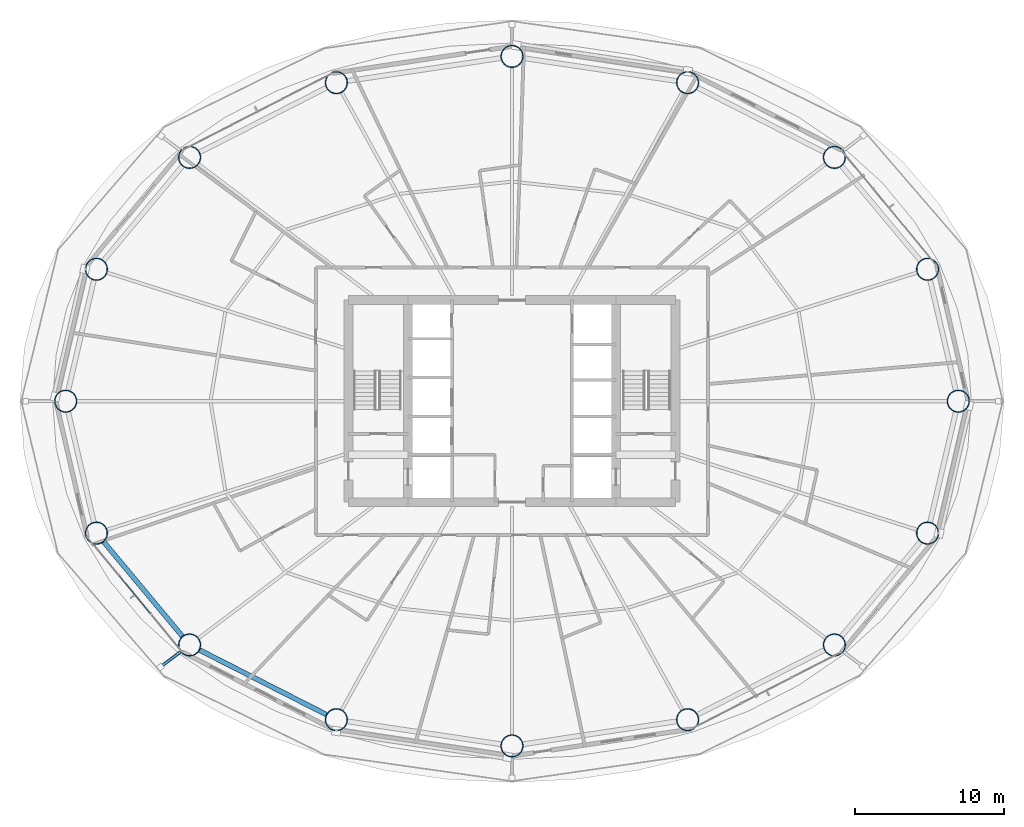
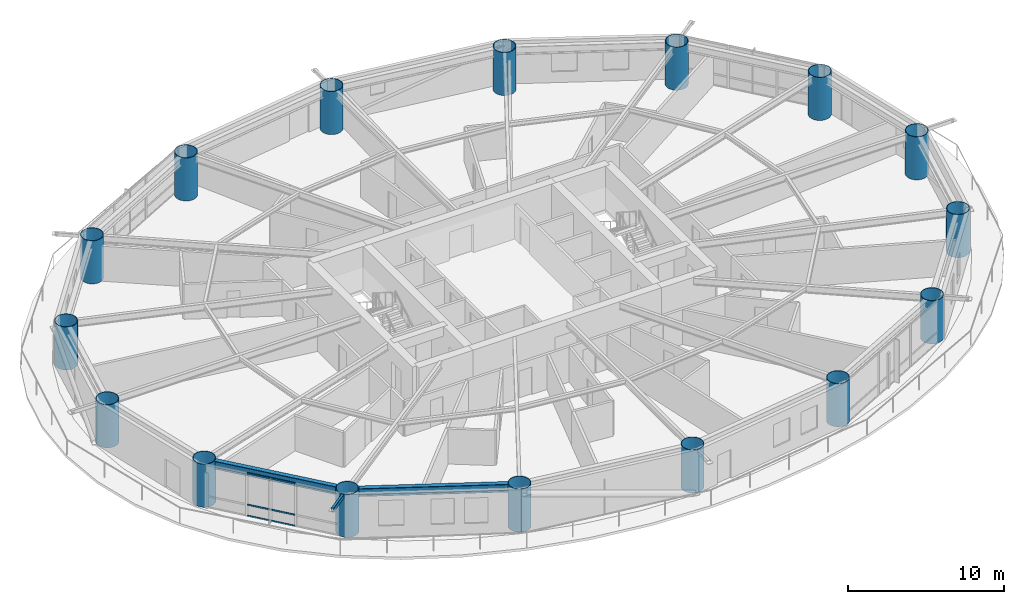
# One storey, part 1 of 26: 16 columns, 4 members, 2 beams, 1 element without a shape of its own.
"""IFC4 building model written with IfcOpenShell, lengths in metres."""

from ifc_helpers import new_model, si_unit, direction, frame, origin, origin_2d, place, context, subcontext, project, spatial, hollow_rectangle, hollow_circle, i_section, extrude, material, layer, layer_set, material_profile, profile_set, type_object, element, aggregate, save


model = new_model("IFC4")

# Units and contexts
model_context = context("Model", 3, precision=1e-05, world=origin(), true_north=direction((0.0, 1.0)))
body_context = subcontext(model_context, "Body", "Model", "MODEL_VIEW")
ifc_project = project(units=[si_unit("LENGTHUNIT", "METRE"), si_unit("AREAUNIT", "SQUARE_METRE"), si_unit("VOLUMEUNIT", "CUBIC_METRE"), si_unit("PLANEANGLEUNIT", "RADIAN"), si_unit("MASSUNIT", "GRAM", prefix="KILO")], contexts=[model_context])

# Site, building, storey
site_placement = place(None, origin())
site = spatial("IfcSite", under=ifc_project, at=site_placement, CompositionType="ELEMENT")
building_placement = place(site_placement, origin())
building = spatial("IfcBuilding", under=site, at=building_placement, Name="Sarneth Arch Tower", CompositionType="ELEMENT")
storey_placement = place(building_placement, frame((0.0, 0.0, 35.39990234375)))
storey = spatial("IfcBuildingStorey", under=building, at=storey_placement, Name="L07", CompositionType="ELEMENT", Elevation=35.39990234375)

# Columns
ifc_material_1 = material(Name="Steel S355", Category="steel")
ifc_material_profile_1 = material_profile(ifc_material_1, hollow_circle(Radius=0.75, WallThickness=0.0400390625, at=origin_2d()), Name="CHS1500x40")
ifc_profile_set_1 = profile_set([ifc_material_profile_1], Name="Steel S355")
column_type = type_object("IfcColumnType", Name="COL-MEGA-1500", PredefinedType="COLUMN", material=ifc_profile_set_1)
for number, where, z_axis, x_axis, name in (
    (1, (78.034912109375, 42.0, 0.0), (0.0, 0.0, 1.0), (1.0, 0.0, 0.0), "L07 Perimeter mega-column M01"),
    (2, (75.965576171875, 50.878173828125, 0.0), (0.0, 0.0, 1.0), (1.0, 0.0, 0.0), "L07 Perimeter mega-column M02"),
    (3, (69.696533203125, 58.40478515625, 0.0), (0.0, 0.0, 1.0), (1.0, 0.0, 0.0), "L07 Perimeter mega-column M03"),
    (4, (59.81787109375, 63.43408203125, 0.0), (0.0, 0.0, 1.0), (1.0, 0.0, 0.0), "L07 Perimeter mega-column M04"),
    (5, (48.0, 65.199951171875, 0.0), (0.0, 0.0, 1.0), (1.0, 0.0, 0.0), "L07 Perimeter mega-column M05"),
    (6, (36.18212890625, 63.43408203125, 0.0), (0.0, 0.0, 1.0), (1.0, 0.0, 0.0), "L07 Perimeter mega-column M06"),
    (7, (26.303466796875, 58.40478515625, 0.0), (0.0, 0.0, 1.0), (1.0, 0.0, 0.0), "L07 Perimeter mega-column M07"),
    (8, (20.034423828125, 50.878173828125, 0.0), (0.0, 0.0, 1.0), (1.0, 0.0, 0.0), "L07 Perimeter mega-column M08"),
    (9, (17.965087890625, 42.0, 0.0), (0.0, 0.0, 1.0), (1.0, 0.0, 0.0), "L07 Perimeter mega-column M09"),
    (10, (20.034423828125, 33.121826171875, 0.0), (0.0, 0.0, 1.0), (1.0, 0.0, 0.0), "L07 Perimeter mega-column M10"),
    (11, (26.303466796875, 25.59521484375, 0.0), (0.0, 0.0, 1.0), (1.0, 0.0, 0.0), "L07 Perimeter mega-column M11"),
    (12, (36.18212890625, 20.56591796875, 0.0), (0.0, 0.0, 1.0), (1.0, 0.0, 0.0), "L07 Perimeter mega-column M12"),
    (13, (48.0, 18.800048828125, 0.0), (0.0, 0.0, 1.0), (1.0, 0.0, 0.0), "L07 Perimeter mega-column M13"),
    (14, (59.81787109375, 20.56591796875, 0.0), (0.0, 0.0, 1.0), (1.0, 0.0, 0.0), "L07 Perimeter mega-column M14"),
    (15, (69.696533203125, 25.59521484375, 0.0), (0.0, 0.0, 1.0), (1.0, 0.0, 0.0), "L07 Perimeter mega-column M15"),
    (16, (75.965576171875, 33.121826171875, 0.0), (0.0, 0.0, 1.0), (1.0, 0.0, 0.0), "L07 Perimeter mega-column M16"),
):
    element("IfcColumn", number, at=place(storey_placement, frame(where, z_axis=z_axis, x_axis=x_axis)), inside=storey, type_object=column_type, Name=name, PredefinedType="COLUMN", context=body_context, shape_type="SweptSolid", body=[
        extrude(hollow_circle(Radius=0.75, WallThickness=0.0400390625, at=origin_2d()), origin(), (0.0, 0.0, 1.0), 3.380126953125),
    ])

# Beams
ifc_material_2 = material(Name="Steel S355", Category="steel")
ifc_material_profile_2 = material_profile(ifc_material_2, i_section(OverallWidth=0.326904296875, OverallDepth=0.6220703125, WebThickness=0.015380859375, FlangeThickness=0.0244140625, FilletRadius=0.01904296875, at=origin_2d()), Name="W610x195")
ifc_profile_set_2 = profile_set([ifc_material_profile_2], Name="Steel S355")
beam_type = type_object("IfcBeamType", Name="BM-SPAN-610A", PredefinedType="SPANDREL", material=ifc_profile_set_2)
beam_1_placement = place(storey_placement, frame((20.514404296875, 32.54541015625, 3.069091796875), z_axis=(0.639981736251, -0.768390120489, 0.0), x_axis=(0.768390120489, 0.639981736251, 0.0)))
element("IfcBeam", 17, at=beam_1_placement, inside=storey, type_object=beam_type, Name="L07 Perimeter spandrel beam 10", PredefinedType="SPANDREL", context=body_context, shape_type="SweptSolid", body=[
    extrude(i_section(OverallWidth=0.326904296875, OverallDepth=0.6220703125, WebThickness=0.015380859375, FlangeThickness=0.0244140625, FilletRadius=0.01904296875, at=origin_2d()), origin(), (0.0, 0.0, 1.0), 8.29541015625),
])
beam_2_placement = place(storey_placement, frame((26.9716796875, 25.2548828125, 3.069091796875), z_axis=(0.891169106887, -0.453671271882, 0.0), x_axis=(0.453671271882, 0.891169106887, 0.0)))
element("IfcBeam", 18, at=beam_2_placement, inside=storey, type_object=beam_type, Name="L07 Perimeter spandrel beam 11", PredefinedType="SPANDREL", context=body_context, shape_type="SweptSolid", body=[
    extrude(i_section(OverallWidth=0.326904296875, OverallDepth=0.6220703125, WebThickness=0.015380859375, FlangeThickness=0.0244140625, FilletRadius=0.01904296875, at=origin_2d()), origin(), (0.0, 0.0, 1.0), 9.58544921875),
])

# Curtain wall, members
ifc_material_3 = material(Name="Anodised aluminium Type AA25 and solar-control low-e laminated IGU", Category="aluminium")
ifc_layer = layer(ifc_material_3, 0.159912109375)
ifc_layer_set = layer_set([ifc_layer], Name="Anodised aluminium Type AA25 and solar-control low-e laminated IGU")
curtain_wall_type = type_object("IfcCurtainWallType", Name="CW-HOTEL-LOW", PredefinedType="NOTDEFINED", material=ifc_layer_set)
curtain_wall_placement = place(storey_placement, origin())
curtain_wall = element("IfcCurtainWall", 19, at=curtain_wall_placement, inside=storey, type_object=curtain_wall_type, Name="L07 Unitised curtain wall facet 10", PredefinedType="NOTDEFINED")
ifc_material_4 = material(Name="Anodised Aluminium 6063-T6", Category="aluminium")
ifc_material_profile_3 = material_profile(ifc_material_4, hollow_rectangle(XDim=0.06005859375, YDim=0.1201171875, WallThickness=0.00390625, at=origin_2d()), Name="AL-TRAN-120x60x4")
ifc_profile_set_3 = profile_set([ifc_material_profile_3], Name="Anodised Aluminium 6063-T6")
member_type_1 = type_object("IfcMemberType", Name="CW-TRANSOM", PredefinedType="USERDEFINED", material=ifc_profile_set_3)
member_1_placement = place(storey_placement, frame((21.57373046875, 30.256103515625, 0.030029296875), z_axis=(0.637268595771, -0.770641769465, 0.0), x_axis=(0.770641769465, 0.637268595771, 0.0)))
member_1 = element("IfcMember", 20, at=member_1_placement, type_object=member_type_1, Name="CW-SYS-3 transom 2.1", ObjectType="TRANSOM", PredefinedType="USERDEFINED", context=body_context, shape_type="SweptSolid", body=[
    extrude(hollow_rectangle(XDim=0.06005859375, YDim=0.1201171875, WallThickness=0.00390625, at=origin_2d()), origin(), (0.0, 0.0, 1.0), 3.291259765625),
])
member_2_placement = place(storey_placement, frame((21.57373046875, 30.256103515625, 0.900146484375), z_axis=(0.637268595771, -0.770641769465, 0.0), x_axis=(0.770641769465, 0.637268595771, 0.0)))
member_2 = element("IfcMember", 21, at=member_2_placement, type_object=member_type_1, Name="CW-SYS-3 transom 2.2", ObjectType="TRANSOM", PredefinedType="USERDEFINED", context=body_context, shape_type="SweptSolid", body=[
    extrude(hollow_rectangle(XDim=0.06005859375, YDim=0.1201171875, WallThickness=0.00390625, at=origin_2d()), origin(), (0.0, 0.0, 1.0), 3.291259765625),
])
member_3_placement = place(storey_placement, frame((21.57373046875, 30.256103515625, 3.35009765625), z_axis=(0.637268595771, -0.770641769465, 0.0), x_axis=(0.770641769465, 0.637268595771, 0.0)))
member_3 = element("IfcMember", 22, at=member_3_placement, type_object=member_type_1, Name="CW-SYS-3 transom 2.3", ObjectType="TRANSOM", PredefinedType="USERDEFINED", context=body_context, shape_type="SweptSolid", body=[
    extrude(hollow_rectangle(XDim=0.06005859375, YDim=0.1201171875, WallThickness=0.00390625, at=origin_2d()), origin(), (0.0, 0.0, 1.0), 3.291259765625),
])
aggregate(curtain_wall, [member_1, member_2, member_3])

# Member
ifc_material_5 = material(Name="Steel S355", Category="steel")
ifc_material_profile_4 = material_profile(ifc_material_5, hollow_rectangle(XDim=0.199951171875, YDim=0.300048828125, WallThickness=0.012451171875, InnerFilletRadius=0.018798828125, OuterFilletRadius=0.03125, at=origin_2d()), Name="RHS300x200x12.5")
ifc_profile_set_4 = profile_set([ifc_material_profile_4], Name="Steel S355")
member_type_2 = type_object("IfcMemberType", Name="MEM-CANT-STRUT", PredefinedType="STRUT", material=ifc_profile_set_4)
member_4_placement = place(storey_placement, frame((25.705078125, 25.142822265625, 3.22021484375), z_axis=(-0.79762065646, -0.603159422034, 0.0), x_axis=(0.603159422034, -0.79762065646, 0.0)))
element("IfcMember", 23, at=member_4_placement, inside=storey, type_object=member_type_2, Name="L07 Balcony cantilever bracket 11", PredefinedType="STRUT", context=body_context, shape_type="SweptSolid", body=[
    extrude(hollow_rectangle(XDim=0.199951171875, YDim=0.300048828125, WallThickness=0.012451171875, InnerFilletRadius=0.018798828125, OuterFilletRadius=0.03125, at=origin_2d()), origin(), (0.0, 0.0, 1.0), 1.70361328125),
])

save(model, "model.ifc")
